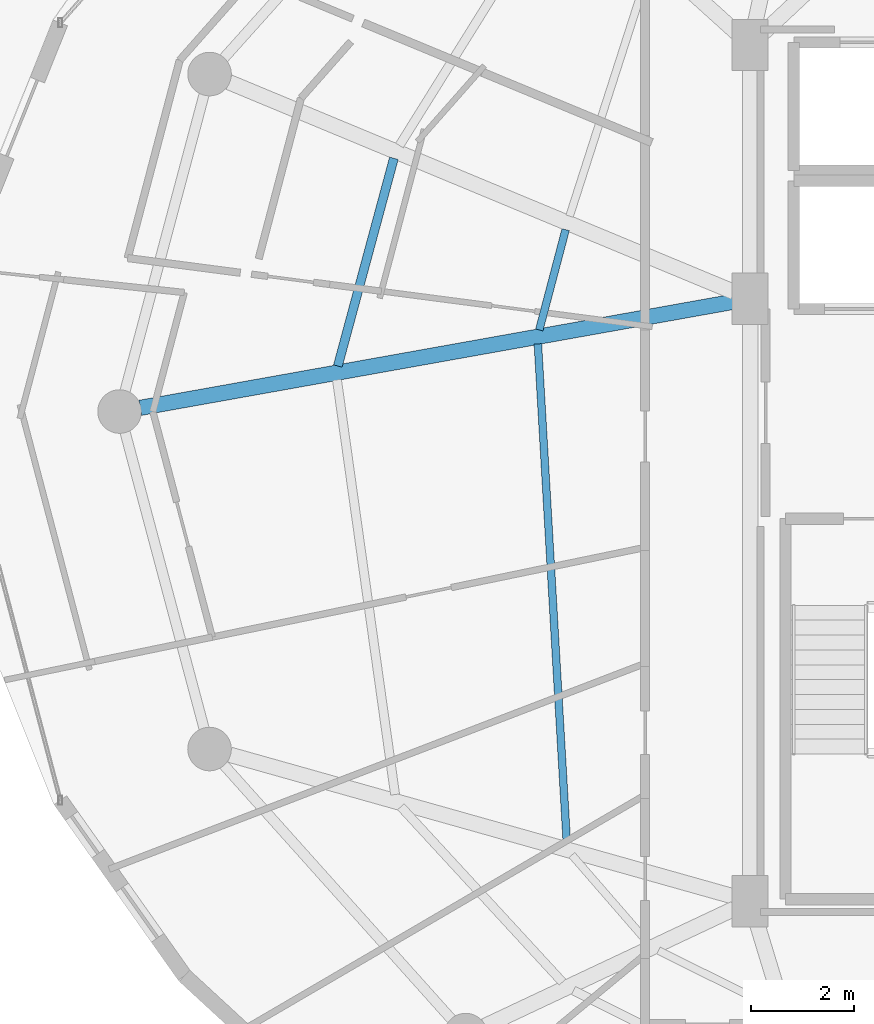
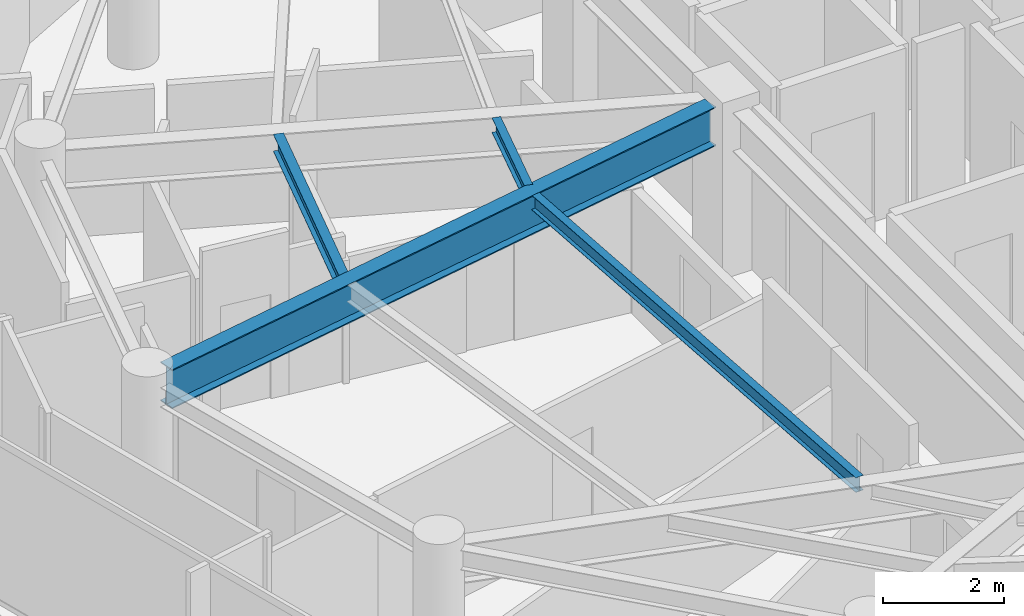
# One storey, part 7 of 30: 4 beams.
"""IFC4 building model written with IfcOpenShell, lengths in metres."""

from ifc_helpers import new_model, si_unit, direction, frame, origin, origin_2d, place, context, subcontext, project, spatial, i_section, extrude, material, material_profile, profile_set, type_object, element, save


model = new_model("IFC4")

# Units and contexts
model_context = context("Model", 3, precision=1e-05, world=origin(), true_north=direction((0.0, 1.0)))
body_context = subcontext(model_context, "Body", "Model", "MODEL_VIEW")
ifc_project = project(units=[si_unit("LENGTHUNIT", "METRE"), si_unit("AREAUNIT", "SQUARE_METRE"), si_unit("VOLUMEUNIT", "CUBIC_METRE"), si_unit("PLANEANGLEUNIT", "RADIAN"), si_unit("MASSUNIT", "GRAM", prefix="KILO")], contexts=[model_context])

# Site, building, storey
site_placement = place(None, origin())
site = spatial("IfcSite", under=ifc_project, at=site_placement, CompositionType="ELEMENT")
building_placement = place(site_placement, origin())
building = spatial("IfcBuilding", under=site, at=building_placement, Name="Vorneva Point Tower", CompositionType="ELEMENT")
storey_placement = place(building_placement, frame((0.0, 0.0, 241.35009765625)))
storey = spatial("IfcBuildingStorey", under=building, at=storey_placement, Name="L65", CompositionType="ELEMENT", Elevation=241.35009765625)

# Beams
ifc_material = material(Name="Steel S355", Category="steel")
ifc_material_profile_1 = material_profile(ifc_material, i_section(OverallWidth=0.300048828125, OverallDepth=0.7880859375, WebThickness=0.014404296875, FlangeThickness=0.02197265625, at=origin_2d()), Name="80Sh1")
ifc_profile_set_1 = profile_set([ifc_material_profile_1], Name="Steel S355")
beam_type_1 = type_object("IfcBeamType", Name="BM-GRD-80Sh1", PredefinedType="USERDEFINED", material=ifc_profile_set_1)
beam_1_placement = place(storey_placement, frame((15.3564453125, 26.07275390625, 2.89599609375), z_axis=(0.9843788355, 0.17606336422, 0.0), x_axis=(-0.17606336422, 0.9843788355, 0.0)))
element("IfcBeam", 1, at=beam_1_placement, inside=storey, type_object=beam_type_1, Name="L65 Radial Primary Girder 09", ObjectType="GIRDER", PredefinedType="USERDEFINED", context=body_context, shape_type="SweptSolid", body=[
    extrude(i_section(OverallWidth=0.300048828125, OverallDepth=0.7880859375, WebThickness=0.014404296875, FlangeThickness=0.02197265625, at=origin_2d()), origin(), (0.0, 0.0, 1.0), 11.7421875),
])
ifc_material_profile_2 = material_profile(ifc_material, i_section(OverallWidth=0.14892578125, OverallDepth=0.298095703125, WebThickness=0.005615234375, FlangeThickness=0.008056640625, at=origin_2d()), Name="30B1")
ifc_profile_set_2 = profile_set([ifc_material_profile_2], Name="Steel S355")
beam_type_2 = type_object("IfcBeamType", Name="BM-JST-30B1", PredefinedType="JOIST", material=ifc_profile_set_2)
beam_2_placement = place(storey_placement, frame((23.650390625, 29.5478515625, 3.140869140625), z_axis=(-0.254273504395, -0.967132351316, 0.0), x_axis=(0.967132351316, -0.254273504395, 0.0)))
element("IfcBeam", 2, at=beam_2_placement, inside=storey, type_object=beam_type_2, Name="L65 Secondary Floor Beam 2.08", PredefinedType="JOIST", context=body_context, shape_type="SweptSolid", body=[
    extrude(i_section(OverallWidth=0.14892578125, OverallDepth=0.298095703125, WebThickness=0.005615234375, FlangeThickness=0.008056640625, at=origin_2d()), origin(), (0.0, 0.0, 1.0), 2.02294921875),
])
beam_3_placement = place(storey_placement, frame((23.10888671875, 27.320068359375, 3.140869140625), z_axis=(0.057974452456, -0.998318066982, 0.0), x_axis=(0.998318066982, 0.057974452456, 0.0)))
element("IfcBeam", 3, at=beam_3_placement, inside=storey, type_object=beam_type_2, Name="L65 Secondary Floor Beam 2.09", PredefinedType="JOIST", context=body_context, shape_type="SweptSolid", body=[
    extrude(i_section(OverallWidth=0.14892578125, OverallDepth=0.298095703125, WebThickness=0.005615234375, FlangeThickness=0.008056640625, at=origin_2d()), origin(), (0.0, 0.0, 1.0), 9.74462890625),
])
ifc_material_profile_3 = material_profile(ifc_material, i_section(OverallWidth=0.174072265625, OverallDepth=0.345947265625, WebThickness=0.006103515625, FlangeThickness=0.009033203125, at=origin_2d()), Name="35B1")
ifc_profile_set_3 = profile_set([ifc_material_profile_3], Name="Steel S355")
beam_type_3 = type_object("IfcBeamType", Name="BM-SEC-35B1", PredefinedType="BEAM", material=ifc_profile_set_3)
beam_4_placement = place(storey_placement, frame((20.300537109375, 30.939697265625, 3.116943359375), z_axis=(-0.260630606793, -0.965438598153, 0.0), x_axis=(0.965438598153, -0.260630606793, 0.0)))
element("IfcBeam", 4, at=beam_4_placement, inside=storey, type_object=beam_type_3, Name="L65 Secondary Floor Beam 1.08", PredefinedType="BEAM", context=body_context, shape_type="SweptSolid", body=[
    extrude(i_section(OverallWidth=0.174072265625, OverallDepth=0.345947265625, WebThickness=0.006103515625, FlangeThickness=0.009033203125, at=origin_2d()), origin(), (0.0, 0.0, 1.0), 4.196533203125),
])

save(model, "model.ifc")
